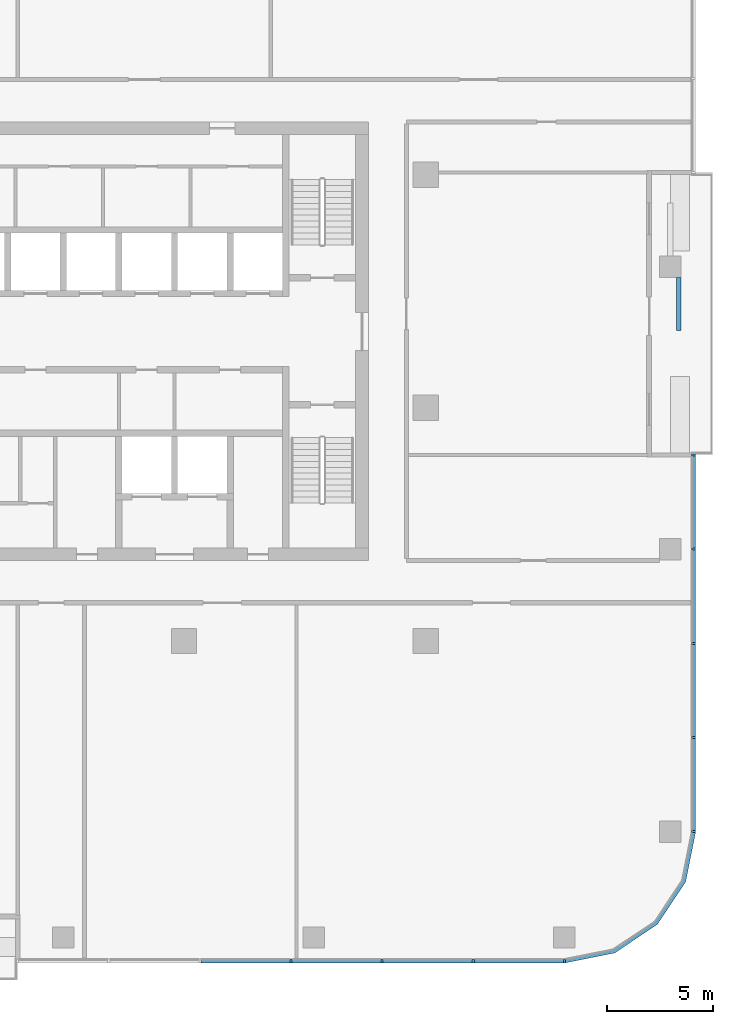
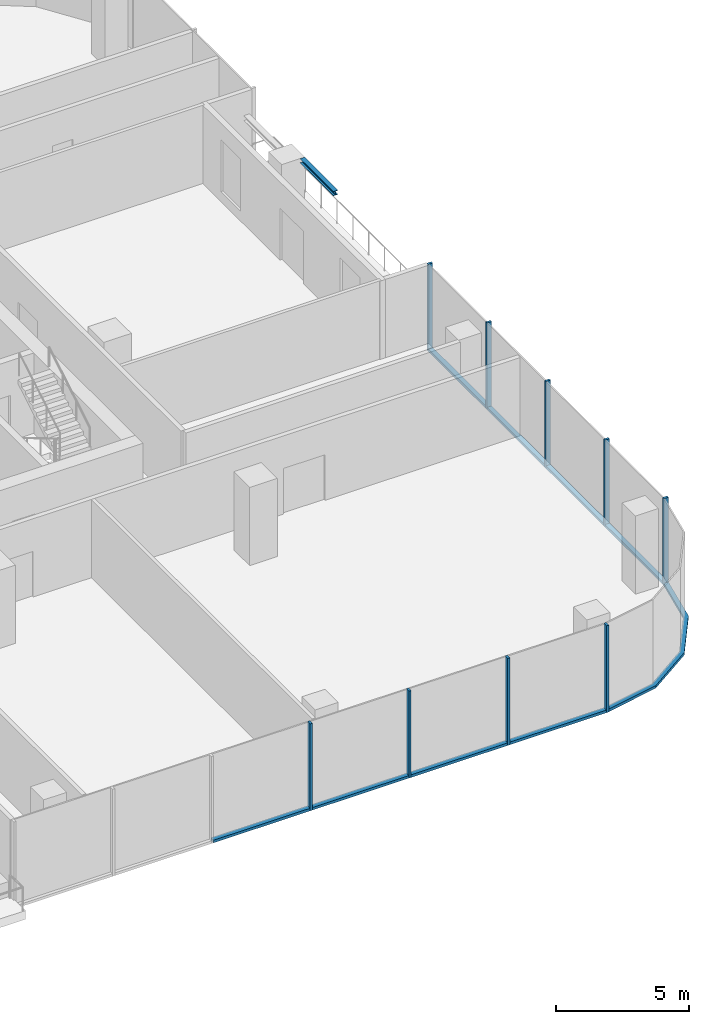
# One storey, part 3 of 13: 18 members, 1 beam, 3 elements without a shape of their own.
"""IFC4 building model written with IfcOpenShell, lengths in metres."""

from ifc_helpers import new_model, si_unit, direction, frame, origin, origin_2d, place, context, subcontext, project, spatial, polyline, rectangle, i_section, outline, extrude, material, material_profile, profile_set, type_object, element, aggregate, save


model = new_model("IFC4")

# Units and contexts
model_context = context("Model", 3, precision=1e-05, world=origin(), true_north=direction((0.0, 1.0)))
body_context = subcontext(model_context, "Body", "Model", "MODEL_VIEW")
ifc_project = project(units=[si_unit("LENGTHUNIT", "METRE"), si_unit("AREAUNIT", "SQUARE_METRE"), si_unit("VOLUMEUNIT", "CUBIC_METRE"), si_unit("PLANEANGLEUNIT", "RADIAN"), si_unit("MASSUNIT", "GRAM", prefix="KILO")], contexts=[model_context])

# Site, building, storey
site_placement = place(None, origin())
site = spatial("IfcSite", under=ifc_project, at=site_placement, CompositionType="ELEMENT")
building_placement = place(site_placement, origin())
building = spatial("IfcBuilding", under=site, at=building_placement, Name="Mopane Tessera Tower", CompositionType="ELEMENT")
storey_placement = place(building_placement, frame((0.0, 0.0, 299.39990234375)))
storey = spatial("IfcBuildingStorey", under=building, at=storey_placement, Name="L65", CompositionType="ELEMENT", Elevation=299.39990234375)

# Curtain wall, members
ifc_material_1 = material(Name="Aluminium frame", Category="aluminium")
curtain_wall_type = type_object("IfcCurtainWallType", Name="Unitised curtain wall", PredefinedType="NOTDEFINED", material=ifc_material_1)
curtain_wall_1_placement = place(storey_placement, origin())
curtain_wall_1 = element("IfcCurtainWall", 1, at=curtain_wall_1_placement, inside=storey, type_object=curtain_wall_type, Name="e:cw:L65:S:5", PredefinedType="NOTDEFINED")
ifc_material_2 = material(Name="Aluminium frame", Category="aluminium")
ifc_material_profile_1 = material_profile(ifc_material_2, rectangle(XDim=0.10009765625, YDim=0.199951171875, at=origin_2d()))
ifc_profile_set_1 = profile_set([ifc_material_profile_1], Name="Aluminium frame")
member_type_1 = type_object("IfcMemberType", Name="Aluminium mullion 100 x 200", PredefinedType="MULLION", material=ifc_profile_set_1)
member_1_placement = place(storey_placement, frame((10.75, -26.10009765625, -0.39990234375), z_axis=(0.0, 0.0, 1.0), x_axis=(1.0, 0.0, 0.0)))
member_1 = element("IfcMember", 2, at=member_1_placement, type_object=member_type_1, Name="e:cw:L65:S:5:mu8", PredefinedType="MULLION", context=body_context, shape_type="SweptSolid", body=[
    extrude(rectangle(XDim=0.10009765625, YDim=0.199951171875, at=origin_2d()), origin(), (0.0, 0.0, 1.0), 4.0),
])
member_2_placement = place(storey_placement, frame((15.050048828125, -26.10009765625, -0.39990234375), z_axis=(0.0, 0.0, 1.0), x_axis=(1.0, 0.0, 0.0)))
member_2 = element("IfcMember", 3, at=member_2_placement, type_object=member_type_1, Name="e:cw:L65:S:5:mu9", PredefinedType="MULLION", context=body_context, shape_type="SweptSolid", body=[
    extrude(rectangle(XDim=0.10009765625, YDim=0.199951171875, at=origin_2d()), origin(), (0.0, 0.0, 1.0), 4.0),
])
member_3_placement = place(storey_placement, frame((19.35009765625, -26.10009765625, -0.39990234375), z_axis=(0.0, 0.0, 1.0), x_axis=(1.0, 0.0, 0.0)))
member_3 = element("IfcMember", 4, at=member_3_placement, type_object=member_type_1, Name="e:cw:L65:S:5:mu10", PredefinedType="MULLION", context=body_context, shape_type="SweptSolid", body=[
    extrude(rectangle(XDim=0.10009765625, YDim=0.199951171875, at=origin_2d()), origin(), (0.0, 0.0, 1.0), 4.0),
])
member_4_placement = place(storey_placement, frame((23.64990234375, -26.10009765625, -0.39990234375), z_axis=(0.0, 0.0, 1.0), x_axis=(1.0, 0.0, 0.0)))
member_4 = element("IfcMember", 5, at=member_4_placement, type_object=member_type_1, Name="e:cw:L65:S:5:mu11", PredefinedType="MULLION", context=body_context, shape_type="SweptSolid", body=[
    extrude(rectangle(XDim=0.10009765625, YDim=0.199951171875, at=origin_2d()), origin(), (0.0, 0.0, 1.0), 4.0),
])

curtain_wall_2_placement = place(storey_placement, origin())
curtain_wall_2 = element("IfcCurtainWall", 6, at=curtain_wall_2_placement, inside=storey, type_object=curtain_wall_type, Name="e:cw:L65:E:0", PredefinedType="NOTDEFINED")
member_5_placement = place(storey_placement, frame((29.75, -20.0, -0.39990234375), z_axis=(0.0, 0.0, 1.0), x_axis=(0.0, 1.0, 0.0)))
member_5 = element("IfcMember", 7, at=member_5_placement, type_object=member_type_1, Name="e:cw:L65:E:0:mu0", PredefinedType="MULLION", context=body_context, shape_type="SweptSolid", body=[
    extrude(rectangle(XDim=0.10009765625, YDim=0.199951171875, at=origin_2d()), origin(), (0.0, 0.0, 1.0), 4.0),
])
member_6_placement = place(storey_placement, frame((29.75, -15.5556640625, -0.39990234375), z_axis=(0.0, 0.0, 1.0), x_axis=(0.0, 1.0, 0.0)))
member_6 = element("IfcMember", 8, at=member_6_placement, type_object=member_type_1, Name="e:cw:L65:E:0:mu1", PredefinedType="MULLION", context=body_context, shape_type="SweptSolid", body=[
    extrude(rectangle(XDim=0.10009765625, YDim=0.199951171875, at=origin_2d()), origin(), (0.0, 0.0, 1.0), 4.0),
])
member_7_placement = place(storey_placement, frame((29.75, -11.111083984375, -0.39990234375), z_axis=(0.0, 0.0, 1.0), x_axis=(0.0, 1.0, 0.0)))
member_7 = element("IfcMember", 9, at=member_7_placement, type_object=member_type_1, Name="e:cw:L65:E:0:mu2", PredefinedType="MULLION", context=body_context, shape_type="SweptSolid", body=[
    extrude(rectangle(XDim=0.10009765625, YDim=0.199951171875, at=origin_2d()), origin(), (0.0, 0.0, 1.0), 4.0),
])
member_8_placement = place(storey_placement, frame((29.75, -6.666748046875, -0.39990234375), z_axis=(0.0, 0.0, 1.0), x_axis=(0.0, 1.0, 0.0)))
member_8 = element("IfcMember", 10, at=member_8_placement, type_object=member_type_1, Name="e:cw:L65:E:0:mu3", PredefinedType="MULLION", context=body_context, shape_type="SweptSolid", body=[
    extrude(rectangle(XDim=0.10009765625, YDim=0.199951171875, at=origin_2d()), origin(), (0.0, 0.0, 1.0), 4.0),
])
member_9_placement = place(storey_placement, frame((29.75, -2.22216796875, -0.39990234375), z_axis=(0.0, 0.0, 1.0), x_axis=(0.0, 1.0, 0.0)))
member_9 = element("IfcMember", 11, at=member_9_placement, type_object=member_type_1, Name="e:cw:L65:E:0:mu4", PredefinedType="MULLION", context=body_context, shape_type="SweptSolid", body=[
    extrude(rectangle(XDim=0.10009765625, YDim=0.199951171875, at=origin_2d()), origin(), (0.0, 0.0, 1.0), 4.0),
])

# Member
ifc_material_3 = material(Name="Aluminium frame", Category="aluminium")
ifc_material_profile_2 = material_profile(ifc_material_3, rectangle(XDim=0.199951171875, YDim=0.1201171875, at=origin_2d()))
ifc_profile_set_2 = profile_set([ifc_material_profile_2], Name="Aluminium frame")
member_type_2 = type_object("IfcMemberType", Name="Aluminium transom 200 x 120", PredefinedType="USERDEFINED", material=ifc_profile_set_2)
member_10_placement = place(storey_placement, frame((6.5, -26.10009765625, -0.33984375), z_axis=(1.0, 0.0, 0.0), x_axis=(0.0, 1.0, 0.0)))
member_10 = element("IfcMember", 12, at=member_10_placement, type_object=member_type_2, Name="e:cw:L65:S:5:tr7", ObjectType="TRANSOM", PredefinedType="USERDEFINED", context=body_context, shape_type="SweptSolid", body=[
    extrude(rectangle(XDim=0.199951171875, YDim=0.1201171875, at=origin_2d()), origin(), (0.0, 0.0, 1.0), 4.199951171875),
])

member_11_placement = place(storey_placement, frame((10.800048828125, -26.10009765625, -0.33984375), z_axis=(1.0, 0.0, 0.0), x_axis=(0.0, 1.0, 0.0)))
member_11 = element("IfcMember", 13, at=member_11_placement, type_object=member_type_2, Name="e:cw:L65:S:5:tr8", ObjectType="TRANSOM", PredefinedType="USERDEFINED", context=body_context, shape_type="SweptSolid", body=[
    extrude(rectangle(XDim=0.199951171875, YDim=0.1201171875, at=origin_2d()), origin(), (0.0, 0.0, 1.0), 4.199951171875),
])

member_12_placement = place(storey_placement, frame((15.10009765625, -26.10009765625, -0.33984375), z_axis=(1.0, 0.0, 0.0), x_axis=(0.0, 1.0, 0.0)))
member_12 = element("IfcMember", 14, at=member_12_placement, type_object=member_type_2, Name="e:cw:L65:S:5:tr9", ObjectType="TRANSOM", PredefinedType="USERDEFINED", context=body_context, shape_type="SweptSolid", body=[
    extrude(rectangle(XDim=0.199951171875, YDim=0.1201171875, at=origin_2d()), origin(), (0.0, 0.0, 1.0), 4.199951171875),
])

member_13_placement = place(storey_placement, frame((19.39990234375, -26.10009765625, -0.33984375), z_axis=(1.0, 0.0, 0.0), x_axis=(0.0, 1.0, 0.0)))
member_13 = element("IfcMember", 15, at=member_13_placement, type_object=member_type_2, Name="e:cw:L65:S:5:tr10", ObjectType="TRANSOM", PredefinedType="USERDEFINED", context=body_context, shape_type="SweptSolid", body=[
    extrude(rectangle(XDim=0.199951171875, YDim=0.1201171875, at=origin_2d()), origin(), (0.0, 0.0, 1.0), 4.2001953125),
])

aggregate(curtain_wall_1, [member_1, member_2, member_3, member_4, member_10, member_11, member_12, member_13])

# Curtain wall, member
curtain_wall_3_placement = place(storey_placement, origin())
curtain_wall_3 = element("IfcCurtainWall", 16, at=curtain_wall_3_placement, inside=storey, type_object=curtain_wall_type, Name="e:cw:L65:CS", PredefinedType="NOTDEFINED")
member_14_placement = place(storey_placement, frame((0.0, 0.0, -0.39990234375)))
member_14 = element("IfcMember", 17, at=member_14_placement, type_object=member_type_2, Name="e:cw:L65:CS:tr", ObjectType="TRANSOM", PredefinedType="USERDEFINED", context=body_context, shape_type="SweptSolid", body=[
    extrude(outline(polyline([(23.64990234375, -26.0), (25.946044921875, -25.543212890625), (27.892578125, -24.24267578125), (29.193359375, -22.296142578125), (29.64990234375, -20.0), (29.85009765625, -20.0), (29.378173828125, -22.37255859375), (28.0341796875, -24.384033203125), (26.022705078125, -25.72802734375), (23.64990234375, -26.199951171875), (23.64990234375, -26.0)])), origin(), (0.0, 0.0, 1.0), 0.1201171875),
])
aggregate(curtain_wall_3, [member_14])

# Member
member_15_placement = place(storey_placement, frame((29.75, -19.949951171875, -0.33984375), z_axis=(0.0, 1.0, 0.0), x_axis=(-1.0, 0.0, 0.0)))
member_15 = element("IfcMember", 18, at=member_15_placement, type_object=member_type_2, Name="e:cw:L65:E:0:tr0", ObjectType="TRANSOM", PredefinedType="USERDEFINED", context=body_context, shape_type="SweptSolid", body=[
    extrude(rectangle(XDim=0.199951171875, YDim=0.1201171875, at=origin_2d()), origin(), (0.0, 0.0, 1.0), 4.344482421875),
])

member_16_placement = place(storey_placement, frame((29.75, -15.505615234375, -0.33984375), z_axis=(0.0, 1.0, 0.0), x_axis=(-1.0, 0.0, 0.0)))
member_16 = element("IfcMember", 19, at=member_16_placement, type_object=member_type_2, Name="e:cw:L65:E:0:tr1", ObjectType="TRANSOM", PredefinedType="USERDEFINED", context=body_context, shape_type="SweptSolid", body=[
    extrude(rectangle(XDim=0.199951171875, YDim=0.1201171875, at=origin_2d()), origin(), (0.0, 0.0, 1.0), 4.344482421875),
])

member_17_placement = place(storey_placement, frame((29.75, -11.06103515625, -0.33984375), z_axis=(0.0, 1.0, 0.0), x_axis=(-1.0, 0.0, 0.0)))
member_17 = element("IfcMember", 20, at=member_17_placement, type_object=member_type_2, Name="e:cw:L65:E:0:tr2", ObjectType="TRANSOM", PredefinedType="USERDEFINED", context=body_context, shape_type="SweptSolid", body=[
    extrude(rectangle(XDim=0.199951171875, YDim=0.1201171875, at=origin_2d()), origin(), (0.0, 0.0, 1.0), 4.344482421875),
])

member_18_placement = place(storey_placement, frame((29.75, -6.61669921875, -0.33984375), z_axis=(0.0, 1.0, 0.0), x_axis=(-1.0, 0.0, 0.0)))
member_18 = element("IfcMember", 21, at=member_18_placement, type_object=member_type_2, Name="e:cw:L65:E:0:tr3", ObjectType="TRANSOM", PredefinedType="USERDEFINED", context=body_context, shape_type="SweptSolid", body=[
    extrude(rectangle(XDim=0.199951171875, YDim=0.1201171875, at=origin_2d()), origin(), (0.0, 0.0, 1.0), 4.344482421875),
])

aggregate(curtain_wall_2, [member_5, member_6, member_7, member_8, member_9, member_15, member_16, member_17, member_18])

# Beam
ifc_material_4 = material(Name="Structural steel S460", Category="steel")
ifc_material_profile_3 = material_profile(ifc_material_4, i_section(OverallWidth=0.199951171875, OverallDepth=0.199951171875, WebThickness=0.009033203125, FlangeThickness=0.014892578125, FilletRadius=0.01806640625, at=origin_2d()))
ifc_profile_set_3 = profile_set([ifc_material_profile_3], Name="Structural steel S460")
beam_type = type_object("IfcBeamType", Name="Terrace trimmer beam HE 200 B", PredefinedType="BEAM", material=ifc_profile_set_3)
beam_placement = place(storey_placement, frame((29.0498046875, 6.163818359375, 3.5), z_axis=(0.0, -1.0, 0.0), x_axis=(1.0, 0.0, 0.0)))
element("IfcBeam", 22, at=beam_placement, inside=storey, type_object=beam_type, Name="Terrace trimmer beam N1 L66", PredefinedType="BEAM", context=body_context, shape_type="SweptSolid", body=[
    extrude(i_section(OverallWidth=0.199951171875, OverallDepth=0.199951171875, WebThickness=0.009033203125, FlangeThickness=0.014892578125, FilletRadius=0.01806640625, at=origin_2d()), origin(), (0.0, 0.0, 1.0), 2.5),
])

save(model, "model.ifc")
